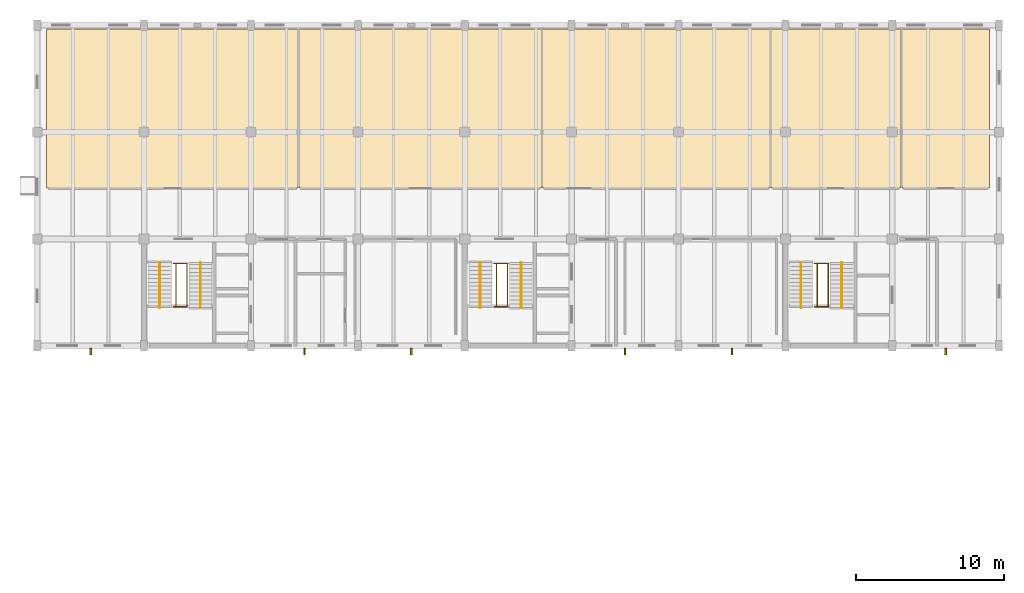
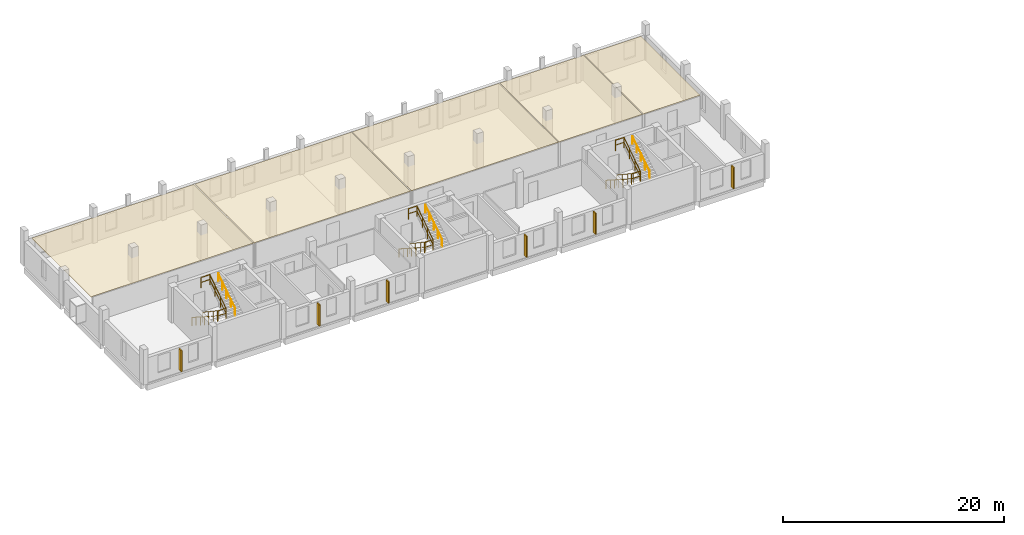
# One storey, part 11 of 11: 18 railings, 6 shading devices, 5 coverings.
"""IFC4 building model written with IfcOpenShell, lengths in metres."""

from ifc_helpers import new_model, si_unit, direction, frame, origin, origin_2d, place, context, subcontext, project, spatial, polyline, rectangle, circle, outline, extrude, material, layer, layer_set, material_profile, profile_set, type_object, element, save


model = new_model("IFC4")

# Units and contexts
model_context = context("Model", 3, precision=1e-05, world=origin(), true_north=direction((0.0, 1.0)))
body_context = subcontext(model_context, "Body", "Model", "MODEL_VIEW")
ifc_project = project(units=[si_unit("LENGTHUNIT", "METRE"), si_unit("AREAUNIT", "SQUARE_METRE"), si_unit("VOLUMEUNIT", "CUBIC_METRE"), si_unit("PLANEANGLEUNIT", "RADIAN"), si_unit("MASSUNIT", "GRAM", prefix="KILO")], contexts=[model_context])

# Site, building, storey
site_placement = place(None, origin())
site = spatial("IfcSite", under=ifc_project, at=site_placement, CompositionType="ELEMENT")
building_placement = place(site_placement, origin())
building = spatial("IfcBuilding", under=site, at=building_placement, Name="Qiaolan Assembly House", CompositionType="ELEMENT")
storey_placement = place(building_placement, frame((0.0, 0.0, 26.39990234375)))
storey = spatial("IfcBuildingStorey", under=building, at=storey_placement, Name="L06", CompositionType="ELEMENT", Elevation=26.39990234375)

# Coverings
ifc_material_1 = material(Name="Gypsum plasterboard acoustic ceiling")
ifc_layer_1 = layer(ifc_material_1, 0.044921875)
ifc_layer_set_1 = layer_set([ifc_layer_1], Name="Gypsum plasterboard acoustic ceiling")
covering_type_1 = type_object("IfcCoveringType", Name="COV-CEIL-ACOUSTIC", PredefinedType="CEILING", material=ifc_layer_set_1)
covering_1_placement = place(storey_placement, frame((0.0, 0.0, 2.735107421875)))
element("IfcCovering", 1, at=covering_1_placement, inside=storey, type_object=covering_type_1, Name="Suspended ceiling Municipal Secretariat General Office", PredefinedType="CEILING", context=body_context, shape_type="SweptSolid", body=[
    extrude(outline(polyline([(36.639892578125, 104.239990234375), (53.56005859375, 104.239990234375), (53.56005859375, 114.949951171875), (36.639892578125, 114.949951171875), (36.639892578125, 104.239990234375)])), origin(), (0.0, 0.0, 1.0), 0.044921875),
])
covering_2_placement = place(storey_placement, frame((0.0, 0.0, 2.735107421875)))
element("IfcCovering", 2, at=covering_2_placement, inside=storey, type_object=covering_type_1, Name="Suspended ceiling International Sister-Cities Protocol Suite", PredefinedType="CEILING", context=body_context, shape_type="SweptSolid", body=[
    extrude(outline(polyline([(70.0400390625, 104.239990234375), (85.360107421875, 104.239990234375), (85.360107421875, 114.949951171875), (70.0400390625, 114.949951171875), (70.0400390625, 104.239990234375)])), origin(), (0.0, 0.0, 1.0), 0.044921875),
])
covering_3_placement = place(storey_placement, frame((0.0, 0.0, 2.735107421875)))
element("IfcCovering", 3, at=covering_3_placement, inside=storey, type_object=covering_type_1, Name="Suspended ceiling Translation & Press Release Studio", PredefinedType="CEILING", context=body_context, shape_type="SweptSolid", body=[
    extrude(outline(polyline([(85.43994140625, 104.239990234375), (94.159912109375, 104.239990234375), (94.159912109375, 114.949951171875), (85.43994140625, 114.949951171875), (85.43994140625, 104.239990234375)])), origin(), (0.0, 0.0, 1.0), 0.044921875),
])
covering_4_placement = place(storey_placement, frame((0.0, 0.0, 2.735107421875)))
element("IfcCovering", 4, at=covering_4_placement, inside=storey, type_object=covering_type_1, Name="Suspended ceiling Protocol Archive & Gift Safe", PredefinedType="CEILING", context=body_context, shape_type="SweptSolid", body=[
    extrude(outline(polyline([(94.239990234375, 104.239990234375), (100.159912109375, 104.239990234375), (100.159912109375, 114.949951171875), (94.239990234375, 114.949951171875), (94.239990234375, 104.239990234375)])), origin(), (0.0, 0.0, 1.0), 0.044921875),
])
ifc_layer_2 = layer(ifc_material_1, 0.052001953125)
ifc_layer_set_2 = layer_set([ifc_layer_2], Name="Gypsum plasterboard acoustic ceiling")
covering_type_2 = type_object("IfcCoveringType", Name="COV-CEIL-GYPSUM", PredefinedType="CEILING", material=ifc_layer_set_2)
covering_5_placement = place(storey_placement, frame((0.0, 0.0, 2.72802734375)))
element("IfcCovering", 5, at=covering_5_placement, inside=storey, type_object=covering_type_2, Name="Suspended ceiling Executive Policy Coordination Boardroom", PredefinedType="CEILING", context=body_context, shape_type="SweptSolid", body=[
    extrude(outline(polyline([(53.639892578125, 104.239990234375), (69.9599609375, 104.239990234375), (69.9599609375, 114.949951171875), (53.639892578125, 114.949951171875), (53.639892578125, 104.239990234375)])), origin(), (0.0, 0.0, 1.0), 0.052001953125),
])

# Railings
ifc_material_2 = material(Name="Anodised bronze aluminium", Category="aluminium")
railing_type_1 = type_object("IfcRailingType", Name="RAL-GUARD-STAIRWELL-1150", PredefinedType="GUARDRAIL", material=ifc_material_2)
railing_1_placement = place(storey_placement, frame((45.340087890625, 99.14990234375, 0.0)))
element("IfcRailing", 6, at=railing_1_placement, inside=storey, type_object=railing_type_1, Name="GR-01 stair inner-well guard FLT-CORE-A-L06-1", PredefinedType="GUARDRAIL", context=body_context, shape_type="SweptSolid", body=[
    extrude(circle(Radius=0.02392578125, at=origin_2d()), frame((0.0, 0.0, 1.1259765625), z_axis=(0.0, -0.831128093286, 0.556081012578), x_axis=(1.0, 0.0, 0.0)), (0.0, 0.0, 1.0), 3.507080078125),
    extrude(circle(Radius=0.01611328125, at=origin_2d()), frame((0.0, 0.0, 0.574951171875), z_axis=(0.0, -0.831128093286, 0.556081012578), x_axis=(1.0, 0.0, 0.0)), (0.0, 0.0, 1.0), 3.507080078125),
    extrude(circle(Radius=0.02099609375, at=origin_2d()), origin(), (0.0, 0.0, 1.0), 1.101806640625),
    extrude(circle(Radius=0.02099609375, at=origin_2d()), frame((0.0, -0.9716796875, 0.650146484375)), (0.0, 0.0, 1.0), 1.101806640625),
    extrude(circle(Radius=0.02099609375, at=origin_2d()), frame((0.0, -1.943115234375, 1.300048828125)), (0.0, 0.0, 1.0), 1.101806640625),
    extrude(circle(Radius=0.02099609375, at=origin_2d()), frame((0.0, -2.914794921875, 1.9501953125)), (0.0, 0.0, 1.0), 1.101806640625),
])
railing_2_placement = place(storey_placement, frame((46.080078125, 96.235107421875, 1.9501953125)))
element("IfcRailing", 7, at=railing_2_placement, inside=storey, type_object=railing_type_1, Name="GR-01 stair inner-well guard FLT-CORE-A-L06-2", PredefinedType="GUARDRAIL", context=body_context, shape_type="SweptSolid", body=[
    extrude(circle(Radius=0.02392578125, at=origin_2d()), frame((0.0, 0.0, 1.1259765625), z_axis=(0.0, 0.831160267213, 0.556032921872), x_axis=(-1.0, 0.0, 0.0)), (0.0, 0.0, 1.0), 3.5068359375),
    extrude(circle(Radius=0.01611328125, at=origin_2d()), frame((0.0, 0.0, 0.574951171875), z_axis=(0.0, 0.831160267213, 0.556032921872), x_axis=(-1.0, 0.0, 0.0)), (0.0, 0.0, 1.0), 3.5068359375),
    extrude(circle(Radius=0.02099609375, at=origin_2d()), origin(), (0.0, 0.0, 1.0), 1.101806640625),
    extrude(circle(Radius=0.02099609375, at=origin_2d()), frame((0.0, 0.9716796875, 0.64990234375)), (0.0, 0.0, 1.0), 1.101806640625),
    extrude(circle(Radius=0.02099609375, at=origin_2d()), frame((0.0, 1.943115234375, 1.300048828125)), (0.0, 0.0, 1.0), 1.101806640625),
    extrude(circle(Radius=0.02099609375, at=origin_2d()), frame((0.0, 2.914794921875, 1.949951171875)), (0.0, 0.0, 1.0), 1.101806640625),
])
for number, where, name in (
    (8, (45.179931640625, 96.235107421875, 1.9501953125), "GR-01 stairwell landing guard CORE-A L06-1"),
    (9, (45.179931640625, 99.14990234375, 3.900146484375), "GR-01 stairwell landing guard CORE-A L06-2"),
):
    element("IfcRailing", number, at=place(storey_placement, frame(where)), inside=storey, type_object=railing_type_1, Name=name, PredefinedType="GUARDRAIL", context=body_context, shape_type="SweptSolid", body=[
        extrude(circle(Radius=0.02392578125, at=origin_2d()), frame((0.0, 0.0, 1.1259765625), z_axis=(1.0, 0.0, 0.0), x_axis=(0.0, 1.0, 0.0)), (0.0, 0.0, 1.0), 0.920166015625),
        extrude(circle(Radius=0.01611328125, at=origin_2d()), frame((0.0, 0.0, 0.574951171875), z_axis=(1.0, 0.0, 0.0), x_axis=(0.0, 1.0, 0.0)), (0.0, 0.0, 1.0), 0.920166015625),
        extrude(circle(Radius=0.02099609375, at=origin_2d()), origin(), (0.0, 0.0, 1.0), 1.101806640625),
        extrude(circle(Radius=0.02099609375, at=origin_2d()), frame((0.920166015625, 0.0, 0.0)), (0.0, 0.0, 1.0), 1.101806640625),
    ])
railing_3_placement = place(storey_placement, frame((66.93994140625, 99.14990234375, 0.0)))
element("IfcRailing", 10, at=railing_3_placement, inside=storey, type_object=railing_type_1, Name="GR-01 stair inner-well guard FLT-CORE-B-L06-1", PredefinedType="GUARDRAIL", context=body_context, shape_type="SweptSolid", body=[
    extrude(circle(Radius=0.02392578125, at=origin_2d()), frame((0.0, 0.0, 1.1259765625), z_axis=(0.0, -0.831128093286, 0.556081012578), x_axis=(1.0, 0.0, 0.0)), (0.0, 0.0, 1.0), 3.507080078125),
    extrude(circle(Radius=0.01611328125, at=origin_2d()), frame((0.0, 0.0, 0.574951171875), z_axis=(0.0, -0.831128093286, 0.556081012578), x_axis=(1.0, 0.0, 0.0)), (0.0, 0.0, 1.0), 3.507080078125),
    extrude(circle(Radius=0.02099609375, at=origin_2d()), origin(), (0.0, 0.0, 1.0), 1.101806640625),
    extrude(circle(Radius=0.02099609375, at=origin_2d()), frame((0.0, -0.9716796875, 0.650146484375)), (0.0, 0.0, 1.0), 1.101806640625),
    extrude(circle(Radius=0.02099609375, at=origin_2d()), frame((0.0, -1.943115234375, 1.300048828125)), (0.0, 0.0, 1.0), 1.101806640625),
    extrude(circle(Radius=0.02099609375, at=origin_2d()), frame((0.0, -2.914794921875, 1.9501953125)), (0.0, 0.0, 1.0), 1.101806640625),
])
railing_4_placement = place(storey_placement, frame((67.679931640625, 96.235107421875, 1.9501953125)))
element("IfcRailing", 11, at=railing_4_placement, inside=storey, type_object=railing_type_1, Name="GR-01 stair inner-well guard FLT-CORE-B-L06-2", PredefinedType="GUARDRAIL", context=body_context, shape_type="SweptSolid", body=[
    extrude(circle(Radius=0.02392578125, at=origin_2d()), frame((0.0, 0.0, 1.1259765625), z_axis=(0.0, 0.831160267213, 0.556032921872), x_axis=(-1.0, 0.0, 0.0)), (0.0, 0.0, 1.0), 3.5068359375),
    extrude(circle(Radius=0.01611328125, at=origin_2d()), frame((0.0, 0.0, 0.574951171875), z_axis=(0.0, 0.831160267213, 0.556032921872), x_axis=(-1.0, 0.0, 0.0)), (0.0, 0.0, 1.0), 3.5068359375),
    extrude(circle(Radius=0.02099609375, at=origin_2d()), origin(), (0.0, 0.0, 1.0), 1.101806640625),
    extrude(circle(Radius=0.02099609375, at=origin_2d()), frame((0.0, 0.9716796875, 0.64990234375)), (0.0, 0.0, 1.0), 1.101806640625),
    extrude(circle(Radius=0.02099609375, at=origin_2d()), frame((0.0, 1.943115234375, 1.300048828125)), (0.0, 0.0, 1.0), 1.101806640625),
    extrude(circle(Radius=0.02099609375, at=origin_2d()), frame((0.0, 2.914794921875, 1.949951171875)), (0.0, 0.0, 1.0), 1.101806640625),
])
for number, where, name in (
    (12, (66.780029296875, 96.235107421875, 1.9501953125), "GR-01 stairwell landing guard CORE-B L06-1"),
    (13, (66.780029296875, 99.14990234375, 3.900146484375), "GR-01 stairwell landing guard CORE-B L06-2"),
):
    element("IfcRailing", number, at=place(storey_placement, frame(where)), inside=storey, type_object=railing_type_1, Name=name, PredefinedType="GUARDRAIL", context=body_context, shape_type="SweptSolid", body=[
        extrude(circle(Radius=0.02392578125, at=origin_2d()), frame((0.0, 0.0, 1.1259765625), z_axis=(1.0, 0.0, 0.0), x_axis=(0.0, 1.0, 0.0)), (0.0, 0.0, 1.0), 0.919921875),
        extrude(circle(Radius=0.01611328125, at=origin_2d()), frame((0.0, 0.0, 0.574951171875), z_axis=(1.0, 0.0, 0.0), x_axis=(0.0, 1.0, 0.0)), (0.0, 0.0, 1.0), 0.919921875),
        extrude(circle(Radius=0.02099609375, at=origin_2d()), origin(), (0.0, 0.0, 1.0), 1.101806640625),
        extrude(circle(Radius=0.02099609375, at=origin_2d()), frame((0.919921875, 0.0, 0.0)), (0.0, 0.0, 1.0), 1.101806640625),
    ])
railing_5_placement = place(storey_placement, frame((88.5400390625, 99.14990234375, 0.0)))
element("IfcRailing", 14, at=railing_5_placement, inside=storey, type_object=railing_type_1, Name="GR-01 stair inner-well guard FLT-CORE-G-L06-1", PredefinedType="GUARDRAIL", context=body_context, shape_type="SweptSolid", body=[
    extrude(circle(Radius=0.02392578125, at=origin_2d()), frame((0.0, 0.0, 1.1259765625), z_axis=(0.0, -0.831128093286, 0.556081012578), x_axis=(1.0, 0.0, 0.0)), (0.0, 0.0, 1.0), 3.507080078125),
    extrude(circle(Radius=0.01611328125, at=origin_2d()), frame((0.0, 0.0, 0.574951171875), z_axis=(0.0, -0.831128093286, 0.556081012578), x_axis=(1.0, 0.0, 0.0)), (0.0, 0.0, 1.0), 3.507080078125),
    extrude(circle(Radius=0.02099609375, at=origin_2d()), origin(), (0.0, 0.0, 1.0), 1.101806640625),
    extrude(circle(Radius=0.02099609375, at=origin_2d()), frame((0.0, -0.9716796875, 0.650146484375)), (0.0, 0.0, 1.0), 1.101806640625),
    extrude(circle(Radius=0.02099609375, at=origin_2d()), frame((0.0, -1.943115234375, 1.300048828125)), (0.0, 0.0, 1.0), 1.101806640625),
    extrude(circle(Radius=0.02099609375, at=origin_2d()), frame((0.0, -2.914794921875, 1.9501953125)), (0.0, 0.0, 1.0), 1.101806640625),
])
railing_6_placement = place(storey_placement, frame((89.280029296875, 96.235107421875, 1.9501953125)))
element("IfcRailing", 15, at=railing_6_placement, inside=storey, type_object=railing_type_1, Name="GR-01 stair inner-well guard FLT-CORE-G-L06-2", PredefinedType="GUARDRAIL", context=body_context, shape_type="SweptSolid", body=[
    extrude(circle(Radius=0.02392578125, at=origin_2d()), frame((0.0, 0.0, 1.1259765625), z_axis=(0.0, 0.831160267213, 0.556032921872), x_axis=(-1.0, 0.0, 0.0)), (0.0, 0.0, 1.0), 3.5068359375),
    extrude(circle(Radius=0.01611328125, at=origin_2d()), frame((0.0, 0.0, 0.574951171875), z_axis=(0.0, 0.831160267213, 0.556032921872), x_axis=(-1.0, 0.0, 0.0)), (0.0, 0.0, 1.0), 3.5068359375),
    extrude(circle(Radius=0.02099609375, at=origin_2d()), origin(), (0.0, 0.0, 1.0), 1.101806640625),
    extrude(circle(Radius=0.02099609375, at=origin_2d()), frame((0.0, 0.9716796875, 0.64990234375)), (0.0, 0.0, 1.0), 1.101806640625),
    extrude(circle(Radius=0.02099609375, at=origin_2d()), frame((0.0, 1.943115234375, 1.300048828125)), (0.0, 0.0, 1.0), 1.101806640625),
    extrude(circle(Radius=0.02099609375, at=origin_2d()), frame((0.0, 2.914794921875, 1.949951171875)), (0.0, 0.0, 1.0), 1.101806640625),
])
for number, where, name in (
    (16, (88.3798828125, 96.235107421875, 1.9501953125), "GR-01 stairwell landing guard CORE-G L06-1"),
    (17, (88.3798828125, 99.14990234375, 3.900146484375), "GR-01 stairwell landing guard CORE-G L06-2"),
):
    element("IfcRailing", number, at=place(storey_placement, frame(where)), inside=storey, type_object=railing_type_1, Name=name, PredefinedType="GUARDRAIL", context=body_context, shape_type="SweptSolid", body=[
        extrude(circle(Radius=0.02392578125, at=origin_2d()), frame((0.0, 0.0, 1.1259765625), z_axis=(1.0, 0.0, 0.0), x_axis=(0.0, 1.0, 0.0)), (0.0, 0.0, 1.0), 0.920166015625),
        extrude(circle(Radius=0.01611328125, at=origin_2d()), frame((0.0, 0.0, 0.574951171875), z_axis=(1.0, 0.0, 0.0), x_axis=(0.0, 1.0, 0.0)), (0.0, 0.0, 1.0), 0.920166015625),
        extrude(circle(Radius=0.02099609375, at=origin_2d()), origin(), (0.0, 0.0, 1.0), 1.101806640625),
        extrude(circle(Radius=0.02099609375, at=origin_2d()), frame((0.920166015625, 0.0, 0.0)), (0.0, 0.0, 1.0), 1.101806640625),
    ])
railing_type_2 = type_object("IfcRailingType", Name="RAL-HANDRAIL-STAIR-920", PredefinedType="HANDRAIL", material=ifc_material_2)
railing_7_placement = place(storey_placement, frame((44.25, 99.2099609375, 0.0)))
element("IfcRailing", 18, at=railing_7_placement, inside=storey, type_object=railing_type_2, Name="HR-01 stair handrail FLT-CORE-A-L06-1", PredefinedType="HANDRAIL", context=body_context, shape_type="SweptSolid", body=[
    extrude(circle(Radius=0.02392578125, at=origin_2d()), frame((0.0, 0.0, 0.89599609375), z_axis=(0.0, -0.841281806576, 0.540596820121), x_axis=(1.0, 0.0, 0.0)), (0.0, 0.0, 1.0), 3.607421875),
    extrude(circle(Radius=0.02099609375, at=origin_2d()), origin(), (0.0, 0.0, 1.0), 0.871826171875),
    extrude(circle(Radius=0.02099609375, at=origin_2d()), frame((0.0, -0.7587890625, 0.487548828125)), (0.0, 0.0, 1.0), 0.871826171875),
    extrude(circle(Radius=0.02099609375, at=origin_2d()), frame((0.0, -1.517578125, 0.97509765625)), (0.0, 0.0, 1.0), 0.871826171875),
    extrude(circle(Radius=0.02099609375, at=origin_2d()), frame((0.0, -2.276123046875, 1.462646484375)), (0.0, 0.0, 1.0), 0.871826171875),
    extrude(circle(Radius=0.02099609375, at=origin_2d()), frame((0.0, -3.034912109375, 1.9501953125)), (0.0, 0.0, 1.0), 0.871826171875),
])
railing_8_placement = place(storey_placement, frame((47.0, 96.175048828125, 1.9501953125)))
element("IfcRailing", 19, at=railing_8_placement, inside=storey, type_object=railing_type_2, Name="HR-01 stair handrail FLT-CORE-A-L06-2", PredefinedType="HANDRAIL", context=body_context, shape_type="SweptSolid", body=[
    extrude(circle(Radius=0.02392578125, at=origin_2d()), frame((0.0, 0.0, 0.89599609375), z_axis=(0.0, 0.841312585048, 0.540548919377), x_axis=(-1.0, 0.0, 0.0)), (0.0, 0.0, 1.0), 3.607421875),
    extrude(circle(Radius=0.02099609375, at=origin_2d()), origin(), (0.0, 0.0, 1.0), 0.871826171875),
    extrude(circle(Radius=0.02099609375, at=origin_2d()), frame((0.0, 0.7587890625, 0.487548828125)), (0.0, 0.0, 1.0), 0.871826171875),
    extrude(circle(Radius=0.02099609375, at=origin_2d()), frame((0.0, 1.517578125, 0.97509765625)), (0.0, 0.0, 1.0), 0.871826171875),
    extrude(circle(Radius=0.02099609375, at=origin_2d()), frame((0.0, 2.276123046875, 1.46240234375)), (0.0, 0.0, 1.0), 0.871826171875),
    extrude(circle(Radius=0.02099609375, at=origin_2d()), frame((0.0, 3.034912109375, 1.949951171875)), (0.0, 0.0, 1.0), 0.871826171875),
])
railing_9_placement = place(storey_placement, frame((65.85009765625, 99.2099609375, 0.0)))
element("IfcRailing", 20, at=railing_9_placement, inside=storey, type_object=railing_type_2, Name="HR-01 stair handrail FLT-CORE-B-L06-1", PredefinedType="HANDRAIL", context=body_context, shape_type="SweptSolid", body=[
    extrude(circle(Radius=0.02392578125, at=origin_2d()), frame((0.0, 0.0, 0.89599609375), z_axis=(0.0, -0.841281806576, 0.540596820121), x_axis=(1.0, 0.0, 0.0)), (0.0, 0.0, 1.0), 3.607421875),
    extrude(circle(Radius=0.02099609375, at=origin_2d()), origin(), (0.0, 0.0, 1.0), 0.871826171875),
    extrude(circle(Radius=0.02099609375, at=origin_2d()), frame((0.0, -0.7587890625, 0.487548828125)), (0.0, 0.0, 1.0), 0.871826171875),
    extrude(circle(Radius=0.02099609375, at=origin_2d()), frame((0.0, -1.517578125, 0.97509765625)), (0.0, 0.0, 1.0), 0.871826171875),
    extrude(circle(Radius=0.02099609375, at=origin_2d()), frame((0.0, -2.276123046875, 1.462646484375)), (0.0, 0.0, 1.0), 0.871826171875),
    extrude(circle(Radius=0.02099609375, at=origin_2d()), frame((0.0, -3.034912109375, 1.9501953125)), (0.0, 0.0, 1.0), 0.871826171875),
])
railing_10_placement = place(storey_placement, frame((68.60009765625, 96.175048828125, 1.9501953125)))
element("IfcRailing", 21, at=railing_10_placement, inside=storey, type_object=railing_type_2, Name="HR-01 stair handrail FLT-CORE-B-L06-2", PredefinedType="HANDRAIL", context=body_context, shape_type="SweptSolid", body=[
    extrude(circle(Radius=0.02392578125, at=origin_2d()), frame((0.0, 0.0, 0.89599609375), z_axis=(0.0, 0.841312585048, 0.540548919377), x_axis=(-1.0, 0.0, 0.0)), (0.0, 0.0, 1.0), 3.607421875),
    extrude(circle(Radius=0.02099609375, at=origin_2d()), origin(), (0.0, 0.0, 1.0), 0.871826171875),
    extrude(circle(Radius=0.02099609375, at=origin_2d()), frame((0.0, 0.7587890625, 0.487548828125)), (0.0, 0.0, 1.0), 0.871826171875),
    extrude(circle(Radius=0.02099609375, at=origin_2d()), frame((0.0, 1.517578125, 0.97509765625)), (0.0, 0.0, 1.0), 0.871826171875),
    extrude(circle(Radius=0.02099609375, at=origin_2d()), frame((0.0, 2.276123046875, 1.46240234375)), (0.0, 0.0, 1.0), 0.871826171875),
    extrude(circle(Radius=0.02099609375, at=origin_2d()), frame((0.0, 3.034912109375, 1.949951171875)), (0.0, 0.0, 1.0), 0.871826171875),
])
railing_11_placement = place(storey_placement, frame((87.449951171875, 99.2099609375, 0.0)))
element("IfcRailing", 22, at=railing_11_placement, inside=storey, type_object=railing_type_2, Name="HR-01 stair handrail FLT-CORE-G-L06-1", PredefinedType="HANDRAIL", context=body_context, shape_type="SweptSolid", body=[
    extrude(circle(Radius=0.02392578125, at=origin_2d()), frame((0.0, 0.0, 0.89599609375), z_axis=(0.0, -0.841281806576, 0.540596820121), x_axis=(1.0, 0.0, 0.0)), (0.0, 0.0, 1.0), 3.607421875),
    extrude(circle(Radius=0.02099609375, at=origin_2d()), origin(), (0.0, 0.0, 1.0), 0.871826171875),
    extrude(circle(Radius=0.02099609375, at=origin_2d()), frame((0.0, -0.7587890625, 0.487548828125)), (0.0, 0.0, 1.0), 0.871826171875),
    extrude(circle(Radius=0.02099609375, at=origin_2d()), frame((0.0, -1.517578125, 0.97509765625)), (0.0, 0.0, 1.0), 0.871826171875),
    extrude(circle(Radius=0.02099609375, at=origin_2d()), frame((0.0, -2.276123046875, 1.462646484375)), (0.0, 0.0, 1.0), 0.871826171875),
    extrude(circle(Radius=0.02099609375, at=origin_2d()), frame((0.0, -3.034912109375, 1.9501953125)), (0.0, 0.0, 1.0), 0.871826171875),
])
railing_12_placement = place(storey_placement, frame((90.199951171875, 96.175048828125, 1.9501953125)))
element("IfcRailing", 23, at=railing_12_placement, inside=storey, type_object=railing_type_2, Name="HR-01 stair handrail FLT-CORE-G-L06-2", PredefinedType="HANDRAIL", context=body_context, shape_type="SweptSolid", body=[
    extrude(circle(Radius=0.02392578125, at=origin_2d()), frame((0.0, 0.0, 0.89599609375), z_axis=(0.0, 0.841312585048, 0.540548919377), x_axis=(-1.0, 0.0, 0.0)), (0.0, 0.0, 1.0), 3.607421875),
    extrude(circle(Radius=0.02099609375, at=origin_2d()), origin(), (0.0, 0.0, 1.0), 0.871826171875),
    extrude(circle(Radius=0.02099609375, at=origin_2d()), frame((0.0, 0.7587890625, 0.487548828125)), (0.0, 0.0, 1.0), 0.871826171875),
    extrude(circle(Radius=0.02099609375, at=origin_2d()), frame((0.0, 1.517578125, 0.97509765625)), (0.0, 0.0, 1.0), 0.871826171875),
    extrude(circle(Radius=0.02099609375, at=origin_2d()), frame((0.0, 2.276123046875, 1.46240234375)), (0.0, 0.0, 1.0), 0.871826171875),
    extrude(circle(Radius=0.02099609375, at=origin_2d()), frame((0.0, 3.034912109375, 1.949951171875)), (0.0, 0.0, 1.0), 0.871826171875),
])

# Shading devices
ifc_material_3 = material(Name="Honed pale limestone", Category="masonry")
ifc_material_profile = material_profile(ifc_material_3, rectangle(XDim=0.1201171875, YDim=0.449951171875, at=origin_2d()), Name="FIN 120x450")
ifc_profile_set = profile_set([ifc_material_profile], Name="Honed pale limestone")
shading_device_type = type_object("IfcShadingDeviceType", Name="SHD-FIN-STONE-450", PredefinedType="JALOUSIE", material=ifc_profile_set)
for number, where, z_axis, x_axis, name in (
    (24, (39.60009765625, 93.219970703125, 0.300048828125), (0.0, 0.0, 1.0), (1.0, 0.0, 0.0), "SH-01 vertical limestone brise-soleil fin L06-1"),
    (25, (54.0, 93.219970703125, 0.300048828125), (0.0, 0.0, 1.0), (1.0, 0.0, 0.0), "SH-01 vertical limestone brise-soleil fin L06-3"),
    (26, (61.199951171875, 93.219970703125, 0.300048828125), (0.0, 0.0, 1.0), (1.0, 0.0, 0.0), "SH-01 vertical limestone brise-soleil fin L06-4"),
    (27, (75.60009765625, 93.219970703125, 0.300048828125), (0.0, 0.0, 1.0), (1.0, 0.0, 0.0), "SH-01 vertical limestone brise-soleil fin L06-6"),
    (28, (82.800048828125, 93.219970703125, 0.300048828125), (0.0, 0.0, 1.0), (1.0, 0.0, 0.0), "SH-01 vertical limestone brise-soleil fin L06-7"),
    (29, (97.199951171875, 93.219970703125, 0.300048828125), (0.0, 0.0, 1.0), (1.0, 0.0, 0.0), "SH-01 vertical limestone brise-soleil fin L06-9"),
):
    element("IfcShadingDevice", number, at=place(storey_placement, frame(where, z_axis=z_axis, x_axis=x_axis)), inside=storey, type_object=shading_device_type, Name=name, PredefinedType="JALOUSIE", context=body_context, shape_type="SweptSolid", body=[
        extrude(rectangle(XDim=0.1201171875, YDim=0.449951171875, at=origin_2d()), origin(), (0.0, 0.0, 1.0), 2.340087890625),
    ])

save(model, "model.ifc")
